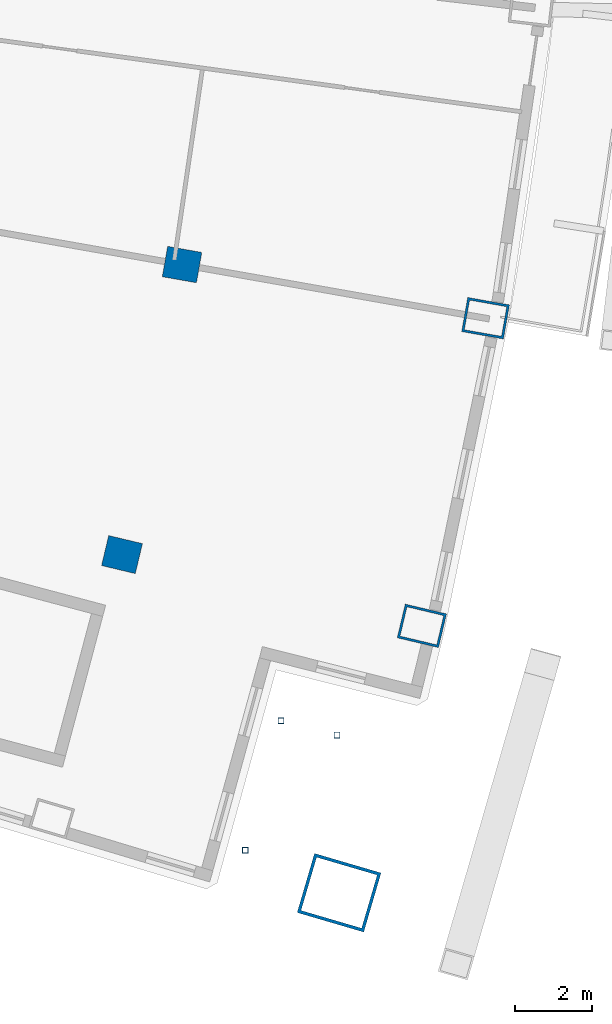
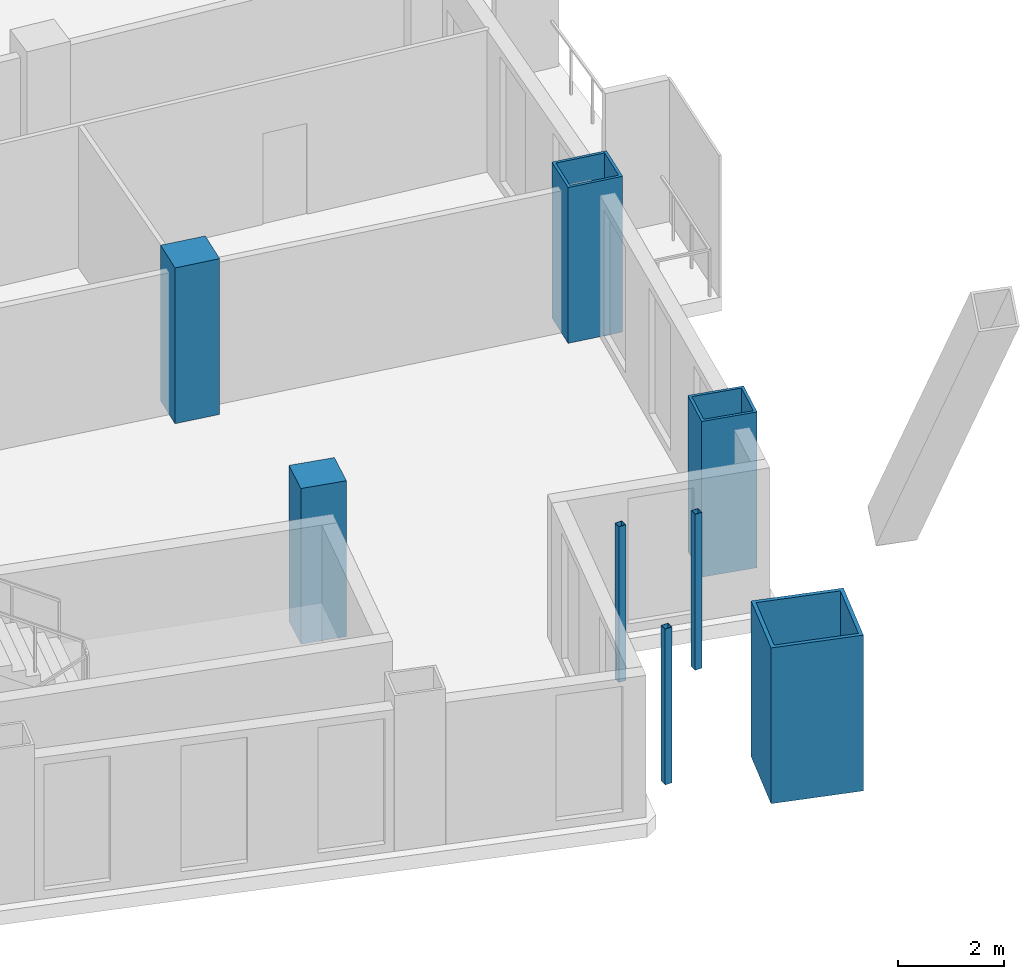
# One storey, part 3 of 20: 8 columns.
"""IFC4 building model written with IfcOpenShell, lengths in metres."""

from ifc_helpers import new_model, si_unit, direction, frame, origin, origin_2d, place, context, subcontext, project, spatial, rectangle, hollow_rectangle, extrude, material, material_profile, profile_set, type_object, element, save


model = new_model("IFC4")

# Units and contexts
model_context = context("Model", 3, precision=1e-05, world=origin(), true_north=direction((0.0, 1.0)))
body_context = subcontext(model_context, "Body", "Model", "MODEL_VIEW")
ifc_project = project(units=[si_unit("LENGTHUNIT", "METRE"), si_unit("AREAUNIT", "SQUARE_METRE"), si_unit("VOLUMEUNIT", "CUBIC_METRE"), si_unit("PLANEANGLEUNIT", "RADIAN"), si_unit("MASSUNIT", "GRAM", prefix="KILO")], contexts=[model_context])

# Site, building, storey
site_placement = place(None, origin())
site = spatial("IfcSite", under=ifc_project, at=site_placement, CompositionType="ELEMENT")
building_placement = place(site_placement, origin())
building = spatial("IfcBuilding", under=site, at=building_placement, Name="Alderwake Tower", CompositionType="ELEMENT")
storey_placement = place(building_placement, frame((0.0, 0.0, 149.60009765625)))
storey = spatial("IfcBuildingStorey", under=building, at=storey_placement, Name="L36", CompositionType="ELEMENT", Elevation=149.60009765625)

# Columns
ifc_material_1 = material(Name="Concrete C70/85", Category="concrete")
ifc_material_profile_1 = material_profile(ifc_material_1, rectangle(XDim=0.800048828125, YDim=0.89990234375, at=origin_2d()), Name="RC 900X800")
ifc_profile_set_1 = profile_set([ifc_material_profile_1], Name="Concrete C70/85")
column_type_1 = type_object("IfcColumnType", Name="Interior column Z3", PredefinedType="COLUMN", material=ifc_profile_set_1)
for number, where, z_axis, x_axis, name in (
    (1, (48.228515625, 30.52490234375, 0.0), (0.0, 0.0, 1.0), (0.231221547198, 0.972901123502, 0.0), "Column R03-C4"),
    (2, (49.787109375, 38.052490234375, 0.0), (0.0, 0.0, 1.0), (0.174108800747, 0.984726421654, 0.0), "Column R04-C4"),
):
    element("IfcColumn", number, at=place(storey_placement, frame(where, z_axis=z_axis, x_axis=x_axis)), inside=storey, type_object=column_type_1, Name=name, PredefinedType="COLUMN", context=body_context, shape_type="SweptSolid", body=[
        extrude(rectangle(XDim=0.800048828125, YDim=0.89990234375, at=origin_2d()), origin(), (0.0, 0.0, 1.0), 3.599853515625),
    ])
ifc_material_2 = material(Name="Steel ASTM A500 Grade C", Category="steel")
ifc_material_profile_2 = material_profile(ifc_material_2, hollow_rectangle(XDim=0.15234375, YDim=0.15234375, WallThickness=0.0087890625, at=origin_2d()), Name="HSS6X6X3/8")
ifc_profile_set_2 = profile_set([ifc_material_profile_2], Name="Steel ASTM A500 Grade C")
column_type_2 = type_object("IfcColumnType", Name="Light post HSS6X6X3/8", PredefinedType="COLUMN", material=ifc_profile_set_2)
for number, where, z_axis, x_axis, name in (
    (3, (53.807861328125, 25.840576171875, 0.0), (0.0, 0.0, 1.0), (1.0, 0.0, 0.0), "Terrace post FS1"),
    (4, (51.42431640625, 22.847900390625, 0.0), (0.0, 0.0, 1.0), (1.0, 0.0, 0.0), "Terrace post FS2"),
    (5, (52.353759765625, 26.208740234375, 0.0), (0.0, 0.0, 1.0), (1.0, 0.0, 0.0), "Terrace post FS3"),
):
    element("IfcColumn", number, at=place(storey_placement, frame(where, z_axis=z_axis, x_axis=x_axis)), inside=storey, type_object=column_type_2, Name=name, PredefinedType="COLUMN", context=body_context, shape_type="SweptSolid", body=[
        extrude(hollow_rectangle(XDim=0.15234375, YDim=0.15234375, WallThickness=0.0087890625, at=origin_2d()), origin(), (0.0, 0.0, 1.0), 3.599853515625),
    ])
ifc_material_3 = material(Name="Steel ASTM A572 Grade 50 concrete filled C70/85", Category="concrete")
ifc_material_profile_3 = material_profile(ifc_material_3, hollow_rectangle(XDim=1.60009765625, YDim=1.800048828125, WallThickness=0.080078125, at=origin_2d()), Name="BOX 1800X1600X80")
ifc_profile_set_3 = profile_set([ifc_material_profile_3], Name="Steel ASTM A572 Grade 50 concrete filled C70/85")
column_type_3 = type_object("IfcColumnType", Name="Mega column Z3", PredefinedType="COLUMN", material=ifc_profile_set_3)
column_placement = place(storey_placement, frame((53.86376953125, 21.747802734375, 0.0), z_axis=(0.0, 0.0, 1.0), x_axis=(0.281376906736, 0.959597330319, 0.0)))
element("IfcColumn", 6, at=column_placement, inside=storey, type_object=column_type_3, Name="Column R02-C5", PredefinedType="COLUMN", context=body_context, shape_type="SweptSolid", body=[
    extrude(hollow_rectangle(XDim=1.60009765625, YDim=1.800048828125, WallThickness=0.080078125, at=origin_2d()), origin(), (0.0, 0.0, 1.0), 3.599853515625),
])
ifc_material_4 = material(Name="Steel ASTM A572 Grade 50 concrete filled C70/85", Category="concrete")
ifc_material_profile_4 = material_profile(ifc_material_4, hollow_rectangle(XDim=0.89990234375, YDim=1.10009765625, WallThickness=0.06005859375, at=origin_2d()), Name="BOX 1100X900X60")
ifc_profile_set_4 = profile_set([ifc_material_profile_4], Name="Steel ASTM A572 Grade 50 concrete filled C70/85")
column_type_4 = type_object("IfcColumnType", Name="Perimeter column Z3", PredefinedType="COLUMN", material=ifc_profile_set_4)
for number, where, z_axis, x_axis, name in (
    (7, (56.01171875, 28.67529296875, 0.0), (0.0, 0.0, 1.0), (0.231221547198, 0.972901123502, 0.0), "Column R03-C5"),
    (8, (57.664794921875, 36.65966796875, 0.0), (0.0, 0.0, 1.0), (0.174108800747, 0.984726421654, 0.0), "Column R04-C5"),
):
    element("IfcColumn", number, at=place(storey_placement, frame(where, z_axis=z_axis, x_axis=x_axis)), inside=storey, type_object=column_type_4, Name=name, PredefinedType="COLUMN", context=body_context, shape_type="SweptSolid", body=[
        extrude(hollow_rectangle(XDim=0.89990234375, YDim=1.10009765625, WallThickness=0.06005859375, at=origin_2d()), origin(), (0.0, 0.0, 1.0), 3.599853515625),
    ])

save(model, "model.ifc")
